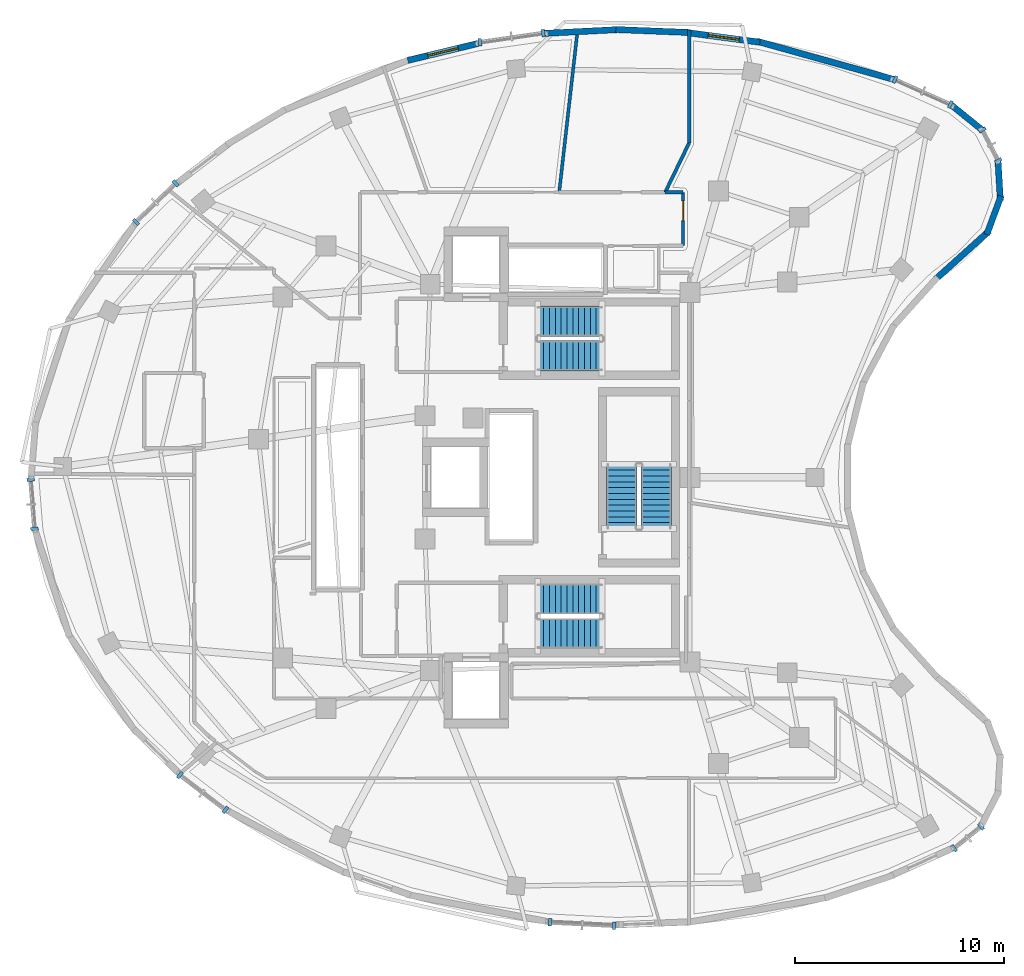
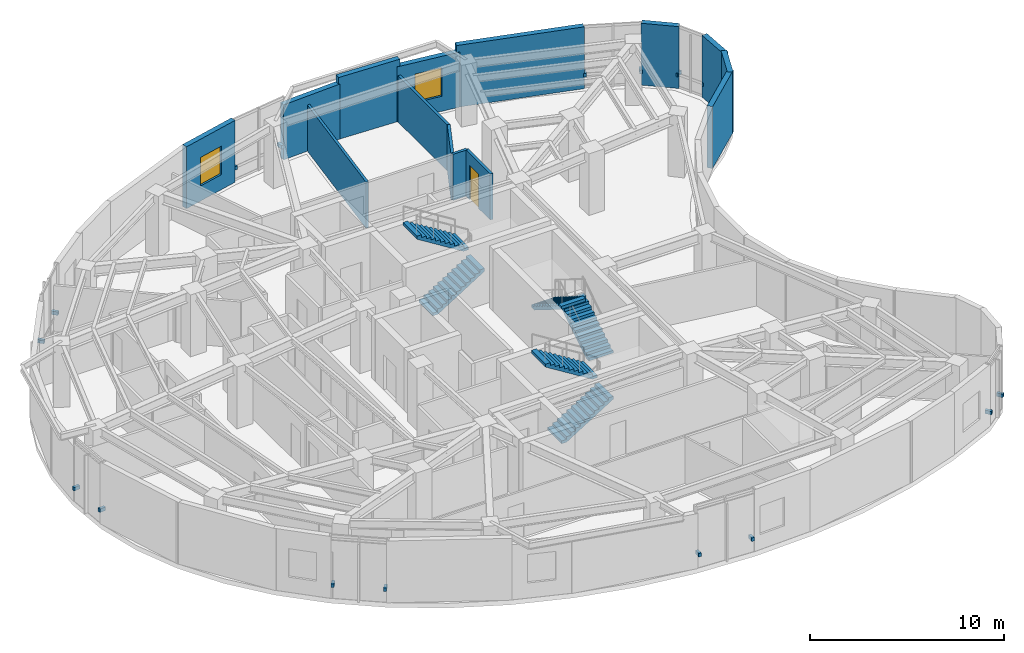
# One storey, part 10 of 13: 16 discrete accessories, 14 walls, 6 stair flights, 2 windows, 1 door, 3 openings, 3 elements without a shape of their own.
"""IFC4 building model written with IfcOpenShell, lengths in metres."""

from ifc_helpers import new_model, si_unit, direction, frame, frame_2d, origin, origin_2d, place, context, subcontext, project, spatial, polyline, rectangle, outline, extrude, material, layer, layer_set, type_object, element, fill, aggregate, save


model = new_model("IFC4")

# Units and contexts
model_context = context("Model", 3, precision=1e-05, world=origin(), true_north=direction((0.0, 1.0)))
body_context = subcontext(model_context, "Body", "Model", "MODEL_VIEW")
ifc_project = project(units=[si_unit("LENGTHUNIT", "METRE"), si_unit("AREAUNIT", "SQUARE_METRE"), si_unit("VOLUMEUNIT", "CUBIC_METRE"), si_unit("PLANEANGLEUNIT", "RADIAN"), si_unit("MASSUNIT", "GRAM", prefix="KILO")], contexts=[model_context])

# Site, building, storey
site_placement = place(None, origin())
site = spatial("IfcSite", under=ifc_project, at=site_placement, CompositionType="ELEMENT")
building_placement = place(site_placement, origin())
building = spatial("IfcBuilding", under=site, at=building_placement, Name="Korentha Bioscience Tower", CompositionType="ELEMENT")
storey_placement = place(building_placement, frame((0.0, 0.0, 243.60009765625)))
storey = spatial("IfcBuildingStorey", under=building, at=storey_placement, Name="L56", CompositionType="ELEMENT", Elevation=243.60009765625)

# Wall
ifc_material_1 = material(Name="Double-Stud Acoustic Gypsum", Category="gypsum")
ifc_layer_1 = layer(ifc_material_1, 0.14990234375, Name="Double-Stud Acoustic Gypsum")
ifc_layer_set_1 = layer_set([ifc_layer_1], Name="Double-Stud Acoustic Gypsum (IW-L150)")
wall_type_1 = type_object("IfcWallType", Name="Acoustic Laboratory Partition Wall 150", PredefinedType="PARTITIONING", material=ifc_layer_set_1)
wall_1_placement = place(storey_placement, frame((31.276611328125, 40.659912109375, 0.0), z_axis=(0.0, 0.0, 1.0), x_axis=(0.112701338023, 0.993628908802, 0.0)))
element("IfcWall", 1, at=wall_1_placement, inside=storey, type_object=wall_type_1, Name="L56 Interior Partition 055", PredefinedType="PARTITIONING", context=body_context, shape_type="SweptSolid", body=[
    extrude(rectangle(XDim=7.861328125, YDim=0.14990234375, at=frame_2d((3.9306640625, 0.0))), origin(), (0.0, 0.0, 1.0), 2.909912109375),
])

# Wall, opening, door
ifc_material_2 = material(Name="Gypsum-Clad Steel Stud", Category="steel")
ifc_layer_2 = layer(ifc_material_2, 0.159912109375, Name="Gypsum-Clad Steel Stud")
ifc_layer_set_2 = layer_set([ifc_layer_2], Name="Gypsum-Clad Steel Stud (IW-C160)")
wall_type_2 = type_object("IfcWallType", Name="Fire-Rated Corridor Partition Wall 160", PredefinedType="PARTITIONING", material=ifc_layer_set_2)
wall_2_placement = place(storey_placement, frame((37.2099609375, 38.10009765625, 0.0), z_axis=(0.0, 0.0, 1.0), x_axis=(0.0, 1.0, 0.0)))
wall_2 = element("IfcWall", 2, at=wall_2_placement, inside=storey, type_object=wall_type_2, Name="L56 Reference Archive Vault 07 Entrance Wall", PredefinedType="PARTITIONING", context=body_context, shape_type="SweptSolid", body=[
    extrude(rectangle(XDim=2.5498046875, YDim=0.159912109375, at=frame_2d((1.27490234375, 0.0))), origin(), (0.0, 0.0, 1.0), 2.909912109375),
])
opening_1_placement = place(wall_2_placement, frame((1.199951171875, 0.0, 0.0)))
opening_1 = element("IfcOpeningElement", 3, at=opening_1_placement, cuts=wall_2, Name="Opening ID-10L", PredefinedType="OPENING", context=body_context, shape_type="SweptSolid", body=[
    extrude(rectangle(XDim=0.949951171875, YDim=2.14990234375, at=frame_2d((0.47509765625, 1.074951171875))), frame((0.0, 0.0947265625, 0.0), z_axis=(0.0, -1.0, 0.0), x_axis=(1.0, 0.0, 0.0)), (0.0, 0.0, 1.0), 0.189697265625),
])
ifc_material_3 = material(Name="Phenolic Laminate Timber Core", Category="wood")
door_type = type_object("IfcDoorType", Name="Laboratory Single Leaf Door 950x2150 Left", OperationType="SINGLE_SWING_LEFT", PredefinedType="DOOR", material=ifc_material_3)
door_placement = place(opening_1_placement, origin())
door = element("IfcDoor", 4, at=door_placement, inside=storey, type_object=door_type, Name="L56 Reference Archive Vault 07 Door", OperationType="SINGLE_SWING_LEFT", OverallHeight=2.14990234375, OverallWidth=0.949951171875, PredefinedType="DOOR", context=body_context, shape_type="SweptSolid", body=[
    extrude(rectangle(XDim=0.949951171875, YDim=2.14990234375, at=frame_2d((0.47509765625, 1.074951171875))), frame((0.0, 0.02490234375, 0.0), z_axis=(0.0, -1.0, 0.0), x_axis=(1.0, 0.0, 0.0)), (0.0, 0.0, 1.0), 0.050048828125),
])
fill(opening_1, door)

# Walls
wall_3_placement = place(storey_placement, frame((37.501953125, 43.03076171875, 0.0), z_axis=(0.0, 0.0, 1.0), x_axis=(0.0, 1.0, 0.0)))
element("IfcWall", 5, at=wall_3_placement, inside=storey, type_object=wall_type_2, Name="L56 Interior Partition 047", PredefinedType="PARTITIONING", context=body_context, shape_type="SweptSolid", body=[
    extrude(rectangle(XDim=5.402587890625, YDim=0.159912109375, at=frame_2d((2.701171875, 0.0))), origin(), (0.0, 0.0, 1.0), 2.909912109375),
])
wall_4_placement = place(storey_placement, frame((37.199951171875, 40.659912109375, 0.0), z_axis=(0.0, 0.0, 1.0), x_axis=(-1.0, 0.0, 0.0)))
element("IfcWall", 6, at=wall_4_placement, inside=storey, type_object=wall_type_2, Name="L56 Interior Partition 053", PredefinedType="PARTITIONING", context=body_context, shape_type="SweptSolid", body=[
    extrude(rectangle(XDim=0.84375, YDim=0.159912109375, at=frame_2d((0.421875, 0.0))), origin(), (0.0, 0.0, 1.0), 2.909912109375),
])
wall_5_placement = place(storey_placement, frame((36.356201171875, 40.659912109375, 0.0), z_axis=(0.0, 0.0, 1.0), x_axis=(0.436465870706, 0.899720814314, 0.0)))
element("IfcWall", 7, at=wall_5_placement, inside=storey, type_object=wall_type_2, Name="L56 Interior Partition 054", PredefinedType="PARTITIONING", context=body_context, shape_type="SweptSolid", body=[
    extrude(rectangle(XDim=2.615478515625, YDim=0.159912109375, at=frame_2d((1.3076171875, 0.0))), origin(), (0.0, 0.0, 1.0), 2.909912109375),
])

# Wall, opening, window
ifc_material_4 = material(Name="Honed Limestone Precast Concrete C40", Category="masonry")
ifc_layer_3 = layer(ifc_material_4, 0.300048828125, Name="Honed Limestone Precast Concrete C40")
ifc_layer_set_3 = layer_set([ifc_layer_3], Name="Honed Limestone Precast Concrete C40 (EW-ST300)")
wall_type_3 = type_object("IfcWallType", Name="Honed Limestone Cavity Spandrel Wall 300", PredefinedType="STANDARD", material=ifc_layer_set_3)
wall_6_placement = place(storey_placement, frame((40.89599609375, 47.845458984375, 0.0), z_axis=(0.0, 0.0, 1.0), x_axis=(-0.991363126073, 0.131145538481, 0.0)))
wall_6 = element("IfcWall", 8, at=wall_6_placement, inside=storey, type_object=wall_type_3, Name="L56 Honed Limestone Spandrel Wall 04", PredefinedType="STANDARD", context=body_context, shape_type="SweptSolid", body=[
    extrude(rectangle(XDim=3.518310546875, YDim=0.300048828125, at=frame_2d((1.75927734375, 0.0))), origin(), (0.0, 0.0, 1.0), 3.469970703125),
])
opening_2_placement = place(wall_6_placement, frame((1.00927734375, 0.0, 0.949951171875)))
opening_2 = element("IfcOpeningElement", 9, at=opening_2_placement, cuts=wall_6, Name="Opening WN-02", PredefinedType="OPENING", context=body_context, shape_type="SweptSolid", body=[
    extrude(rectangle(XDim=1.5, YDim=1.800048828125, at=frame_2d((0.75, 0.89990234375))), frame((0.0, 0.1650390625, 0.0), z_axis=(0.0, -1.0, 0.0), x_axis=(1.0, 0.0, 0.0)), (0.0, 0.0, 1.0), 0.329833984375),
])
ifc_material_5 = material(Name="Thermally Broken Aluminium Triple Glazing", Category="aluminium")
window_type = type_object("IfcWindowType", Name="Acoustic Operable Office Window 1500x1800", PartitioningType="DOUBLE_PANEL_VERTICAL", PredefinedType="WINDOW", material=ifc_material_5)
window_1_placement = place(opening_2_placement, origin())
window_1 = element("IfcWindow", 10, at=window_1_placement, inside=storey, type_object=window_type, Name="L56 Facade Window 04", OverallHeight=1.800048828125, OverallWidth=1.5, PartitioningType="DOUBLE_PANEL_VERTICAL", PredefinedType="WINDOW", context=body_context, shape_type="SweptSolid", body=[
    extrude(rectangle(XDim=1.5, YDim=1.800048828125, at=frame_2d((0.75, 0.89990234375))), frame((0.0, 0.030029296875, 0.0), z_axis=(0.0, -1.0, 0.0), x_axis=(1.0, 0.0, 0.0)), (0.0, 0.0, 1.0), 0.06005859375),
])
fill(opening_2, window_1)

wall_7_placement = place(storey_placement, frame((27.3974609375, 47.790771484375, 0.0), z_axis=(0.0, 0.0, 1.0), x_axis=(-0.972019132567, -0.23490169417, 0.0)))
wall_7 = element("IfcWall", 11, at=wall_7_placement, inside=storey, type_object=wall_type_3, Name="L56 Honed Limestone Spandrel Wall 08", PredefinedType="STANDARD", context=body_context, shape_type="SweptSolid", body=[
    extrude(rectangle(XDim=3.472412109375, YDim=0.300048828125, at=frame_2d((1.736328125, 0.0))), origin(), (0.0, 0.0, 1.0), 3.89990234375),
])
opening_3_placement = place(wall_7_placement, frame((0.986083984375, 0.0, 0.949951171875)))
opening_3 = element("IfcOpeningElement", 12, at=opening_3_placement, cuts=wall_7, Name="Opening WN-02", PredefinedType="OPENING", context=body_context, shape_type="SweptSolid", body=[
    extrude(rectangle(XDim=1.5, YDim=1.800048828125, at=frame_2d((0.75, 0.89990234375))), frame((0.0, 0.1650390625, 0.0), z_axis=(0.0, -1.0, 0.0), x_axis=(1.0, 0.0, 0.0)), (0.0, 0.0, 1.0), 0.329833984375),
])
window_2_placement = place(opening_3_placement, origin())
window_2 = element("IfcWindow", 13, at=window_2_placement, inside=storey, type_object=window_type, Name="L56 Facade Window 08", OverallHeight=1.800048828125, OverallWidth=1.5, PartitioningType="DOUBLE_PANEL_VERTICAL", PredefinedType="WINDOW", context=body_context, shape_type="SweptSolid", body=[
    extrude(rectangle(XDim=1.5, YDim=1.800048828125, at=frame_2d((0.75, 0.89990234375))), frame((0.0, 0.030029296875, 0.0), z_axis=(0.0, -1.0, 0.0), x_axis=(1.0, 0.0, 0.0)), (0.0, 0.0, 1.0), 0.06005859375),
])
fill(opening_3, window_2)

# Walls
wall_8_placement = place(storey_placement, frame((47.3037109375, 46.06494140625, 0.0), z_axis=(0.0, 0.0, 1.0), x_axis=(-0.963088978794, 0.269183244138, 0.0)))
element("IfcWall", 14, at=wall_8_placement, inside=storey, type_object=wall_type_3, Name="L56 Limestone Perimeter Closure Wall 02", PredefinedType="STANDARD", context=body_context, shape_type="SweptSolid", body=[
    extrude(rectangle(XDim=6.812255859375, YDim=0.300048828125, at=frame_2d((3.40625, 0.0))), origin(), (0.0, 0.0, 1.0), 3.89990234375),
])
wall_9_placement = place(storey_placement, frame((37.56298828125, 48.314453125, 0.0), z_axis=(0.0, 0.0, 1.0), x_axis=(-0.999208461954, 0.039780014567, 0.0)))
element("IfcWall", 15, at=wall_9_placement, inside=storey, type_object=wall_type_3, Name="L56 Limestone Perimeter Closure Wall 05", PredefinedType="STANDARD", context=body_context, shape_type="SweptSolid", body=[
    extrude(rectangle(XDim=3.578125, YDim=0.300048828125, at=frame_2d((1.7890625, 0.0))), origin(), (0.0, 0.0, 1.0), 3.89990234375),
])
wall_10_placement = place(storey_placement, frame((34.160400390625, 48.457763671875, 0.0), z_axis=(0.0, 0.0, 1.0), x_axis=(-0.998671230657, -0.051534193093, 0.0)))
element("IfcWall", 16, at=wall_10_placement, inside=storey, type_object=wall_type_3, Name="L56 Limestone Perimeter Closure Wall 06", PredefinedType="STANDARD", context=body_context, shape_type="SweptSolid", body=[
    extrude(rectangle(XDim=3.57666015625, YDim=0.300048828125, at=frame_2d((1.788330078125, 0.0))), origin(), (0.0, 0.0, 1.0), 3.469970703125),
])
wall_11_placement = place(storey_placement, frame((49.299560546875, 36.48388671875, 0.0), z_axis=(0.0, 0.0, 1.0), x_axis=(0.742603888691, 0.669730889612, 0.0)))
element("IfcWall", 17, at=wall_11_placement, inside=storey, type_object=wall_type_3, Name="L56 Limestone Perimeter Closure Wall 57", PredefinedType="STANDARD", context=body_context, shape_type="SweptSolid", body=[
    extrude(rectangle(XDim=3.484130859375, YDim=0.300048828125, at=frame_2d((1.7421875, 0.0))), origin(), (0.0, 0.0, 1.0), 3.89990234375),
])
for number, where, z_axis, x_axis, name in (
    (18, (51.76220703125, 38.633544921875, 0.0), (0.0, 0.0, 1.0), (0.347476023118, 0.9376888681, 0.0), "L56 Limestone Perimeter Closure Wall 59"),
    (19, (52.414306640625, 40.26611328125, 0.0), (0.0, 0.0, 1.0), (-0.060191547909, 0.998186845015, 0.0), "L56 Limestone Perimeter Closure Wall 60"),
):
    element("IfcWall", number, at=place(storey_placement, frame(where, z_axis=z_axis, x_axis=x_axis)), inside=storey, type_object=wall_type_3, Name=name, PredefinedType="STANDARD", context=body_context, shape_type="SweptSolid", body=[
        extrude(rectangle(XDim=1.96728515625, YDim=0.300048828125, at=frame_2d((0.983642578125, 0.0))), origin(), (0.0, 0.0, 1.0), 3.89990234375),
    ])
wall_12_placement = place(storey_placement, frame((51.587890625, 43.606201171875, 0.0), z_axis=(0.0, 0.0, 1.0), x_axis=(-0.777308452477, 0.629119678366, 0.0)))
element("IfcWall", 20, at=wall_12_placement, inside=storey, type_object=wall_type_3, Name="L56 Limestone Perimeter Closure Wall 62", PredefinedType="STANDARD", context=body_context, shape_type="SweptSolid", body=[
    extrude(rectangle(XDim=1.967041015625, YDim=0.300048828125, at=frame_2d((0.9833984375, 0.0))), origin(), (0.0, 0.0, 1.0), 3.89990234375),
])

# Stair, stair flights
ifc_material_6 = material(Name="Precast Concrete C50", Category="concrete")
stair_type = type_object("IfcStairType", Name="Core Exit Dog-Leg Stair 1450", PredefinedType="HALF_TURN_STAIR", material=ifc_material_6)
stair_1_placement = place(storey_placement, origin())
stair_1 = element("IfcStair", 21, at=stair_1_placement, inside=storey, type_object=stair_type, Name="L56 Tower North Pressurized Exit Stair ST-1", PredefinedType="HALF_TURN_STAIR")
stair_flight_type = type_object("IfcStairFlightType", Name="Core Exit Dog-Leg Stair 1450 Flight", PredefinedType="STRAIGHT", material=ifc_material_6)
stair_flight_1_placement = place(storey_placement, frame((30.25, 32.824951171875, 0.0), z_axis=(0.0, 0.0, 1.0), x_axis=(1.0, 0.0, 0.0)))
stair_flight_1 = element("IfcStairFlight", 22, at=stair_flight_1_placement, type_object=stair_flight_type, Name="ST-1 flight 1", NumberOfRisers=12, NumberOfTreads=11, PredefinedType="STRAIGHT", RiserHeight=0.175, TreadLength=0.28, context=body_context, shape_type="SweptSolid", body=[
    extrude(outline(polyline([(0.0, 0.0), (0.0, 0.175048828125), (0.280029296875, 0.175048828125), (0.280029296875, 0.35009765625), (0.56005859375, 0.35009765625), (0.56005859375, 0.52490234375), (0.840087890625, 0.52490234375), (0.840087890625, 0.699951171875), (1.1201171875, 0.699951171875), (1.1201171875, 0.875), (1.39990234375, 0.875), (1.39990234375, 1.050048828125), (1.679931640625, 1.050048828125), (1.679931640625, 1.22509765625), (1.9599609375, 1.22509765625), (1.9599609375, 1.39990234375), (2.239990234375, 1.39990234375), (2.239990234375, 1.574951171875), (2.52001953125, 1.574951171875), (2.52001953125, 1.75), (2.800048828125, 1.75), (2.800048828125, 1.925048828125), (3.080078125, 1.925048828125), (3.080078125, 2.10009765625), (3.080078125, 1.736328125), (0.3017578125, 0.0), (0.0, 0.0)])), frame((0.0, 0.72509765625, 0.0), z_axis=(0.0, -1.0, 0.0), x_axis=(1.0, 0.0, 0.0)), (0.0, 0.0, 1.0), 1.449951171875),
])
stair_flight_2_placement = place(storey_placement, frame((33.330078125, 34.47509765625, 2.099853515625), z_axis=(0.0, 0.0, 1.0), x_axis=(-1.0, 0.0, 0.0)))
stair_flight_2 = element("IfcStairFlight", 23, at=stair_flight_2_placement, type_object=stair_flight_type, Name="ST-1 flight 2", NumberOfRisers=12, NumberOfTreads=11, PredefinedType="STRAIGHT", RiserHeight=0.175, TreadLength=0.28, context=body_context, shape_type="SweptSolid", body=[
    extrude(outline(polyline([(0.0, 0.0), (0.0, 0.175048828125), (0.280029296875, 0.175048828125), (0.280029296875, 0.35009765625), (0.56005859375, 0.35009765625), (0.56005859375, 0.52490234375), (0.840087890625, 0.52490234375), (0.840087890625, 0.699951171875), (1.1201171875, 0.699951171875), (1.1201171875, 0.875), (1.39990234375, 0.875), (1.39990234375, 1.050048828125), (1.679931640625, 1.050048828125), (1.679931640625, 1.22509765625), (1.9599609375, 1.22509765625), (1.9599609375, 1.39990234375), (2.239990234375, 1.39990234375), (2.239990234375, 1.574951171875), (2.52001953125, 1.574951171875), (2.52001953125, 1.75), (2.800048828125, 1.75), (2.800048828125, 1.925048828125), (3.080078125, 1.925048828125), (3.080078125, 2.10009765625), (3.080078125, 1.736328125), (0.3017578125, 0.0), (0.0, 0.0)])), frame((0.0, 0.72509765625, 0.0), z_axis=(0.0, -1.0, 0.0), x_axis=(1.0, 0.0, 0.0)), (0.0, 0.0, 1.0), 1.449951171875),
])
aggregate(stair_1, [stair_flight_1, stair_flight_2])

stair_2_placement = place(storey_placement, origin())
stair_2 = element("IfcStair", 24, at=stair_2_placement, inside=storey, type_object=stair_type, Name="L56 Tower South Pressurized Exit Stair ST-2", PredefinedType="HALF_TURN_STAIR")
stair_flight_3_placement = place(storey_placement, frame((30.25, 19.52490234375, 0.0), z_axis=(0.0, 0.0, 1.0), x_axis=(1.0, 0.0, 0.0)))
stair_flight_3 = element("IfcStairFlight", 25, at=stair_flight_3_placement, type_object=stair_flight_type, Name="ST-2 flight 1", NumberOfRisers=12, NumberOfTreads=11, PredefinedType="STRAIGHT", RiserHeight=0.175, TreadLength=0.28, context=body_context, shape_type="SweptSolid", body=[
    extrude(outline(polyline([(0.0, 0.0), (0.0, 0.175048828125), (0.280029296875, 0.175048828125), (0.280029296875, 0.35009765625), (0.56005859375, 0.35009765625), (0.56005859375, 0.52490234375), (0.840087890625, 0.52490234375), (0.840087890625, 0.699951171875), (1.1201171875, 0.699951171875), (1.1201171875, 0.875), (1.39990234375, 0.875), (1.39990234375, 1.050048828125), (1.679931640625, 1.050048828125), (1.679931640625, 1.22509765625), (1.9599609375, 1.22509765625), (1.9599609375, 1.39990234375), (2.239990234375, 1.39990234375), (2.239990234375, 1.574951171875), (2.52001953125, 1.574951171875), (2.52001953125, 1.75), (2.800048828125, 1.75), (2.800048828125, 1.925048828125), (3.080078125, 1.925048828125), (3.080078125, 2.10009765625), (3.080078125, 1.736328125), (0.3017578125, 0.0), (0.0, 0.0)])), frame((0.0, 0.72509765625, 0.0), z_axis=(0.0, -1.0, 0.0), x_axis=(1.0, 0.0, 0.0)), (0.0, 0.0, 1.0), 1.449951171875),
])
stair_flight_4_placement = place(storey_placement, frame((33.330078125, 21.175048828125, 2.099853515625), z_axis=(0.0, 0.0, 1.0), x_axis=(-1.0, 0.0, 0.0)))
stair_flight_4 = element("IfcStairFlight", 26, at=stair_flight_4_placement, type_object=stair_flight_type, Name="ST-2 flight 2", NumberOfRisers=12, NumberOfTreads=11, PredefinedType="STRAIGHT", RiserHeight=0.175, TreadLength=0.28, context=body_context, shape_type="SweptSolid", body=[
    extrude(outline(polyline([(0.0, 0.0), (0.0, 0.175048828125), (0.280029296875, 0.175048828125), (0.280029296875, 0.35009765625), (0.56005859375, 0.35009765625), (0.56005859375, 0.52490234375), (0.840087890625, 0.52490234375), (0.840087890625, 0.699951171875), (1.1201171875, 0.699951171875), (1.1201171875, 0.875), (1.39990234375, 0.875), (1.39990234375, 1.050048828125), (1.679931640625, 1.050048828125), (1.679931640625, 1.22509765625), (1.9599609375, 1.22509765625), (1.9599609375, 1.39990234375), (2.239990234375, 1.39990234375), (2.239990234375, 1.574951171875), (2.52001953125, 1.574951171875), (2.52001953125, 1.75), (2.800048828125, 1.75), (2.800048828125, 1.925048828125), (3.080078125, 1.925048828125), (3.080078125, 2.10009765625), (3.080078125, 1.736328125), (0.3017578125, 0.0), (0.0, 0.0)])), frame((0.0, 0.72509765625, 0.0), z_axis=(0.0, -1.0, 0.0), x_axis=(1.0, 0.0, 0.0)), (0.0, 0.0, 1.0), 1.449951171875),
])
aggregate(stair_2, [stair_flight_3, stair_flight_4])

stair_3_placement = place(storey_placement, origin())
stair_3 = element("IfcStair", 27, at=stair_3_placement, inside=storey, type_object=stair_type, Name="L56 Tower Central Pressurized Exit Stair ST-3", PredefinedType="HALF_TURN_STAIR")
stair_flight_5_placement = place(storey_placement, frame((35.925048828125, 24.550048828125, 0.0), z_axis=(0.0, 0.0, 1.0), x_axis=(0.0, 1.0, 0.0)))
stair_flight_5 = element("IfcStairFlight", 28, at=stair_flight_5_placement, type_object=stair_flight_type, Name="ST-3 flight 1", NumberOfRisers=12, NumberOfTreads=11, PredefinedType="STRAIGHT", RiserHeight=0.175, TreadLength=0.28, context=body_context, shape_type="SweptSolid", body=[
    extrude(outline(polyline([(0.0, 0.0), (0.0, 0.175048828125), (0.280029296875, 0.175048828125), (0.280029296875, 0.35009765625), (0.56005859375, 0.35009765625), (0.56005859375, 0.52490234375), (0.840087890625, 0.52490234375), (0.840087890625, 0.699951171875), (1.1201171875, 0.699951171875), (1.1201171875, 0.875), (1.39990234375, 0.875), (1.39990234375, 1.050048828125), (1.679931640625, 1.050048828125), (1.679931640625, 1.22509765625), (1.9599609375, 1.22509765625), (1.9599609375, 1.39990234375), (2.239990234375, 1.39990234375), (2.239990234375, 1.574951171875), (2.52001953125, 1.574951171875), (2.52001953125, 1.75), (2.800048828125, 1.75), (2.800048828125, 1.925048828125), (3.080078125, 1.925048828125), (3.080078125, 2.10009765625), (3.080078125, 1.736328125), (0.3017578125, 0.0), (0.0, 0.0)])), frame((0.0, 0.72509765625, 0.0), z_axis=(0.0, -1.0, 0.0), x_axis=(1.0, 0.0, 0.0)), (0.0, 0.0, 1.0), 1.449951171875),
])
stair_flight_6_placement = place(storey_placement, frame((34.27490234375, 27.6298828125, 2.099853515625), z_axis=(0.0, 0.0, 1.0), x_axis=(0.0, -1.0, 0.0)))
stair_flight_6 = element("IfcStairFlight", 29, at=stair_flight_6_placement, type_object=stair_flight_type, Name="ST-3 flight 2", NumberOfRisers=12, NumberOfTreads=11, PredefinedType="STRAIGHT", RiserHeight=0.175, TreadLength=0.28, context=body_context, shape_type="SweptSolid", body=[
    extrude(outline(polyline([(0.0, 0.0), (0.0, 0.175048828125), (0.280029296875, 0.175048828125), (0.280029296875, 0.35009765625), (0.56005859375, 0.35009765625), (0.56005859375, 0.52490234375), (0.840087890625, 0.52490234375), (0.840087890625, 0.699951171875), (1.1201171875, 0.699951171875), (1.1201171875, 0.875), (1.39990234375, 0.875), (1.39990234375, 1.050048828125), (1.679931640625, 1.050048828125), (1.679931640625, 1.22509765625), (1.9599609375, 1.22509765625), (1.9599609375, 1.39990234375), (2.239990234375, 1.39990234375), (2.239990234375, 1.574951171875), (2.52001953125, 1.574951171875), (2.52001953125, 1.75), (2.800048828125, 1.75), (2.800048828125, 1.925048828125), (3.080078125, 1.925048828125), (3.080078125, 2.10009765625), (3.080078125, 1.736328125), (0.3017578125, 0.0), (0.0, 0.0)])), frame((0.0, 0.72509765625, 0.0), z_axis=(0.0, -1.0, 0.0), x_axis=(1.0, 0.0, 0.0)), (0.0, 0.0, 1.0), 1.449951171875),
])
aggregate(stair_3, [stair_flight_5, stair_flight_6])

# Discrete accessories
ifc_material_7 = material(Name="Stainless Steel 316", Category="steel")
discrete_accessory_type = type_object("IfcDiscreteAccessoryType", Name="Stainless Steel Solar-Screen Outrigger Bracket", PredefinedType="BRACKET", material=ifc_material_7)
for number, where, z_axis, x_axis, name in (
    (30, (50.019775390625, 44.866455078125, 0.73974609375), (0.0, 0.0, 1.0), (-0.912621774183, 0.408804962405, 0.0), "CW-L56-01 Solar-Screen Support Bracket 1"),
    (31, (47.36376953125, 46.05615234375, 0.73974609375), (0.0, 0.0, 1.0), (-0.912621774183, 0.408804962405, 0.0), "CW-L56-01 Solar-Screen Support Bracket 2"),
    (32, (30.51025390625, 48.284423828125, 0.73974609375), (0.0, 0.0, 1.0), (-0.989728990307, -0.142956377076, 0.0), "CW-L56-07 Solar-Screen Support Bracket 1"),
    (33, (27.484130859375, 47.847412109375, 0.73974609375), (0.0, 0.0, 1.0), (-0.989728990307, -0.142956377076, 0.0), "CW-L56-07 Solar-Screen Support Bracket 2"),
    (34, (12.899169921875, 41.08447265625, 0.73974609375), (0.0, 0.0, 1.0), (-0.715993919158, -0.698106516034, 0.0), "CW-L56-13 Solar-Screen Support Bracket 1"),
    (35, (11.00048828125, 39.233154296875, 0.73974609375), (0.0, 0.0, 1.0), (-0.715993919158, -0.698106516034, 0.0), "CW-L56-13 Solar-Screen Support Bracket 2"),
    (36, (5.9521484375, 26.888427734375, 0.73974609375), (0.0, 0.0, 1.0), (0.079117478884, -0.996865299093, 0.0), "CW-L56-19 Solar-Screen Support Bracket 1"),
    (37, (6.138671875, 24.538818359375, 0.73974609375), (0.0, 0.0, 1.0), (0.079117478884, -0.996865299093, 0.0), "CW-L56-19 Solar-Screen Support Bracket 2"),
    (38, (13.106689453125, 12.73681640625, 0.73974609375), (0.0, 0.0, 1.0), (0.794382455982, -0.607417906904, 0.0), "CW-L56-25 Solar-Screen Support Bracket 1"),
    (39, (15.2822265625, 11.072998046875, 0.73974609375), (0.0, 0.0, 1.0), (0.794382455982, -0.607417906904, 0.0), "CW-L56-25 Solar-Screen Support Bracket 2"),
    (40, (30.83642578125, 5.683837890625, 0.73974609375), (0.0, 0.0, 1.0), (0.998671032258, -0.051538037689, 0.0), "CW-L56-31 Solar-Screen Support Bracket 1"),
    (41, (33.9091796875, 5.525146484375, 0.73974609375), (0.0, 0.0, 1.0), (0.998671032258, -0.051538037689, 0.0), "CW-L56-31 Solar-Screen Support Bracket 2"),
    (42, (50.197021484375, 9.2294921875, 0.73974609375), (0.0, 0.0, 1.0), (0.777226359638, 0.629221094596, 0.0), "CW-L56-37 Solar-Screen Support Bracket 1"),
    (43, (51.487548828125, 10.2744140625, 0.73974609375), (0.0, 0.0, 1.0), (0.777226359638, 0.629221094596, 0.0), "CW-L56-37 Solar-Screen Support Bracket 2"),
    (44, (52.30908203125, 42.173095703125, 0.73974609375), (0.0, 0.0, 1.0), (-0.457569503198, 0.889173857996, 0.0), "CW-L56-61 Solar-Screen Support Bracket 1"),
    (45, (51.54931640625, 43.64990234375, 0.73974609375), (0.0, 0.0, 1.0), (-0.457569503198, 0.889173857996, 0.0), "CW-L56-61 Solar-Screen Support Bracket 2"),
):
    element("IfcDiscreteAccessory", number, at=place(storey_placement, frame(where, z_axis=z_axis, x_axis=x_axis)), inside=storey, type_object=discrete_accessory_type, Name=name, PredefinedType="BRACKET", context=body_context, shape_type="SweptSolid", body=[
        extrude(rectangle(XDim=0.159912109375, YDim=0.360107421875, at=origin_2d()), origin(), (0.0, 0.0, 1.0), 0.219970703125),
    ])

save(model, "model.ifc")
